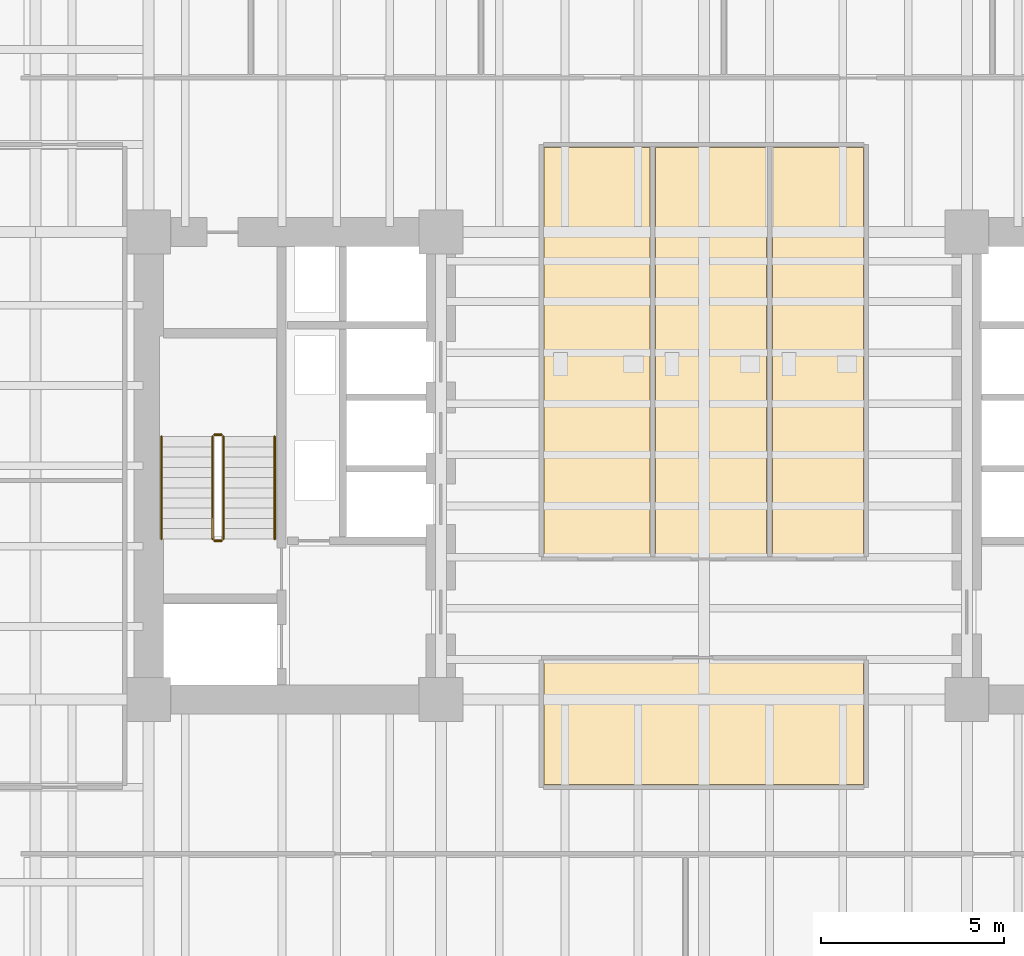
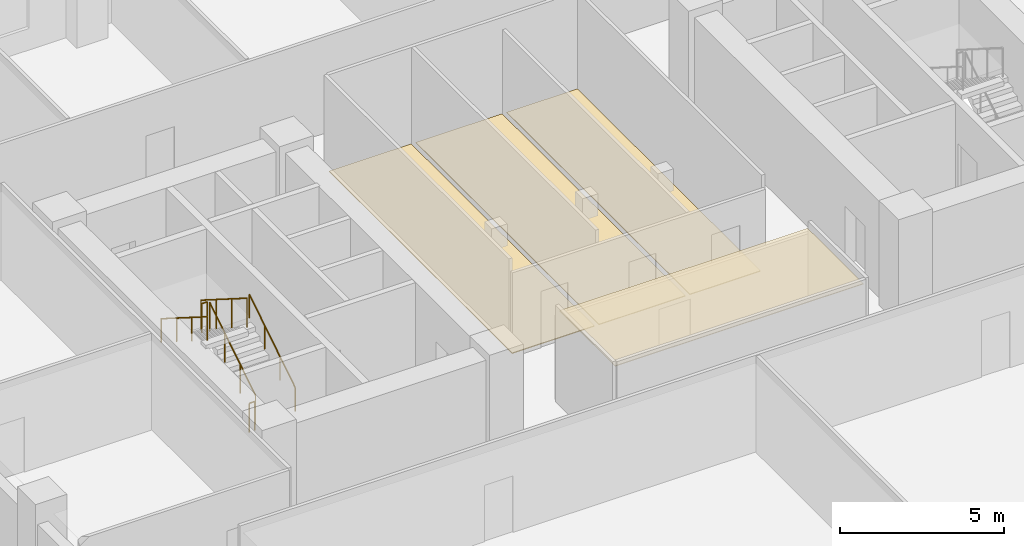
# One storey, part 8 of 11: 6 railings, 4 coverings.
"""IFC4 building model written with IfcOpenShell, lengths in metres."""

from ifc_helpers import new_model, si_unit, direction, frame, origin, origin_2d, place, context, subcontext, project, spatial, polyline, circle, outline, extrude, material, layer, layer_set, type_object, element, save


model = new_model("IFC4")

# Units and contexts
model_context = context("Model", 3, precision=1e-05, world=origin(), true_north=direction((0.0, 1.0)))
body_context = subcontext(model_context, "Body", "Model", "MODEL_VIEW")
ifc_project = project(units=[si_unit("LENGTHUNIT", "METRE"), si_unit("AREAUNIT", "SQUARE_METRE"), si_unit("VOLUMEUNIT", "CUBIC_METRE"), si_unit("PLANEANGLEUNIT", "RADIAN"), si_unit("MASSUNIT", "GRAM", prefix="KILO")], contexts=[model_context])

# Site, building, storey
site_placement = place(None, origin())
site = spatial("IfcSite", under=ifc_project, at=site_placement, CompositionType="ELEMENT")
building_placement = place(site_placement, origin())
building = spatial("IfcBuilding", under=site, at=building_placement, Name="Kranthara Brick Stack", CompositionType="ELEMENT")
storey_placement = place(building_placement, frame((0.0, 0.0, 24.300048828125)))
storey = spatial("IfcBuildingStorey", under=building, at=storey_placement, Name="L05", CompositionType="ELEMENT", Elevation=24.300048828125)

# Coverings
ifc_material_1 = material(Name="Perforated mineral-fibre acoustic ceiling tile", Category="other")
ifc_layer_1 = layer(ifc_material_1, 0.02490234375)
ifc_layer_set_1 = layer_set([ifc_layer_1], Name="Perforated mineral-fibre acoustic ceiling tile")
covering_type_1 = type_object("IfcCoveringType", Name="COV-CEIL-ACOUSTIC", PredefinedType="CEILING", material=ifc_layer_set_1)
covering_1_placement = place(storey_placement, frame((0.0, 0.0, 3.329833984375)))
element("IfcCovering", 1, at=covering_1_placement, inside=storey, type_object=covering_type_1, Name="L05 L05 Central Executive Briefing Room Acoustic Ceiling", PredefinedType="CEILING", context=body_context, shape_type="SweptSolid", body=[
    extrude(outline(polyline([(32.3701171875, 18.47998046875), (32.3701171875, 21.8798828125), (23.6298828125, 21.8798828125), (23.6298828125, 18.47998046875), (32.3701171875, 18.47998046875)])), origin(), (0.0, 0.0, 1.0), 0.025146484375),
])
ifc_material_2 = material(Name="Honed terrazzo and porcelain floor finish", Category="stone")
ifc_layer_2 = layer(ifc_material_2, 0.030029296875)
ifc_layer_set_2 = layer_set([ifc_layer_2], Name="Honed terrazzo and porcelain floor finish")
covering_type_2 = type_object("IfcCoveringType", Name="COV-FLOR-STONE", PredefinedType="FLOORING", material=ifc_layer_set_2)
covering_2_placement = place(storey_placement, origin())
element("IfcCovering", 2, at=covering_2_placement, inside=storey, type_object=covering_type_2, Name="L05 Wet Room Porcelain Flooring", PredefinedType="FLOORING", context=body_context, shape_type="SweptSolid", body=[
    extrude(outline(polyline([(26.52001953125, 24.75), (26.52001953125, 35.919921875), (23.6298828125, 35.919921875), (23.6298828125, 24.75), (26.52001953125, 24.75)])), origin(), (0.0, 0.0, 1.0), 0.030029296875),
])
covering_3_placement = place(storey_placement, origin())
element("IfcCovering", 3, at=covering_3_placement, inside=storey, type_object=covering_type_2, Name="L05 Wet Room Porcelain Flooring", PredefinedType="FLOORING", context=body_context, shape_type="SweptSolid", body=[
    extrude(outline(polyline([(29.719970703125, 24.75), (29.719970703125, 35.919921875), (26.679931640625, 35.919921875), (26.679931640625, 24.75), (29.719970703125, 24.75)])), origin(), (0.0, 0.0, 1.0), 0.030029296875),
])
covering_4_placement = place(storey_placement, origin())
element("IfcCovering", 4, at=covering_4_placement, inside=storey, type_object=covering_type_2, Name="L05 Wet Room Porcelain Flooring", PredefinedType="FLOORING", context=body_context, shape_type="SweptSolid", body=[
    extrude(outline(polyline([(32.3701171875, 24.75), (32.3701171875, 35.919921875), (29.8798828125, 35.919921875), (29.8798828125, 24.75), (32.3701171875, 24.75)])), origin(), (0.0, 0.0, 1.0), 0.030029296875),
])

# Railings
ifc_material_3 = material(Name="Painted galvanized steel stair guardrail", Category="steel")
railing_type_1 = type_object("IfcRailingType", Name="RL-STAIR-GUARD-1100", PredefinedType="GUARDRAIL", material=ifc_material_3)
railing_1_placement = place(storey_placement, frame((14.85009765625, 25.199951171875, 0.17724609375)))
element("IfcRailing", 5, at=railing_1_placement, inside=storey, type_object=railing_type_1, Name="L05 ST01 stair guard 1", PredefinedType="GUARDRAIL", context=body_context, shape_type="SweptSolid", body=[
    extrude(circle(Radius=0.02392578125, at=origin_2d()), frame((0.0, 0.0, 1.076171875), z_axis=(0.0, 0.844908973607, 0.534910110503), x_axis=(-1.0, 0.0, 0.0)), (0.0, 0.0, 1.0), 3.31396484375),
    extrude(circle(Radius=0.02099609375, at=origin_2d()), origin(), (0.0, 0.0, 1.0), 1.052001953125),
    extrude(circle(Radius=0.02099609375, at=origin_2d()), frame((0.0, 0.933349609375, 0.5908203125)), (0.0, 0.0, 1.0), 1.052001953125),
    extrude(circle(Radius=0.02099609375, at=origin_2d()), frame((0.0, 1.86669921875, 1.181884765625)), (0.0, 0.0, 1.0), 1.052001953125),
    extrude(circle(Radius=0.02099609375, at=origin_2d()), frame((0.0, 2.800048828125, 1.772705078125)), (0.0, 0.0, 1.0), 1.052001953125),
])
railing_2_placement = place(storey_placement, frame((14.800048828125, 28.050048828125, 1.949951171875)))
element("IfcRailing", 6, at=railing_2_placement, inside=storey, type_object=railing_type_1, Name="L05 ST01 stair guard 2", PredefinedType="GUARDRAIL", context=body_context, shape_type="SweptSolid", body=[
    extrude(circle(Radius=0.02392578125, at=origin_2d()), frame((0.0, 0.0, 1.076171875), z_axis=(-1.0, 0.0, 0.0), x_axis=(0.0, -1.0, 0.0)), (0.0, 0.0, 1.0), 0.199951171875),
    extrude(circle(Radius=0.02099609375, at=origin_2d()), origin(), (0.0, 0.0, 1.0), 1.052001953125),
    extrude(circle(Radius=0.02099609375, at=origin_2d()), frame((-0.199951171875, 0.0, 0.0)), (0.0, 0.0, 1.0), 1.052001953125),
])
railing_3_placement = place(storey_placement, frame((14.550048828125, 28.0, 2.127197265625)))
element("IfcRailing", 7, at=railing_3_placement, inside=storey, type_object=railing_type_1, Name="L05 ST01 stair guard 3", PredefinedType="GUARDRAIL", context=body_context, shape_type="SweptSolid", body=[
    extrude(circle(Radius=0.02392578125, at=origin_2d()), frame((0.0, 0.0, 1.076171875), z_axis=(0.0, -0.844908973607, 0.534910110503), x_axis=(1.0, 0.0, 0.0)), (0.0, 0.0, 1.0), 3.31396484375),
    extrude(circle(Radius=0.02099609375, at=origin_2d()), origin(), (0.0, 0.0, 1.0), 1.052001953125),
    extrude(circle(Radius=0.02099609375, at=origin_2d()), frame((0.0, -0.933349609375, 0.5908203125)), (0.0, 0.0, 1.0), 1.052001953125),
    extrude(circle(Radius=0.02099609375, at=origin_2d()), frame((0.0, -1.86669921875, 1.181884765625)), (0.0, 0.0, 1.0), 1.052001953125),
    extrude(circle(Radius=0.02099609375, at=origin_2d()), frame((0.0, -2.800048828125, 1.772705078125)), (0.0, 0.0, 1.0), 1.052001953125),
])
railing_4_placement = place(storey_placement, frame((14.800048828125, 25.14990234375, 0.0)))
element("IfcRailing", 8, at=railing_4_placement, inside=storey, type_object=railing_type_1, Name="L05 ST01 stair guard 4", PredefinedType="GUARDRAIL", context=body_context, shape_type="SweptSolid", body=[
    extrude(circle(Radius=0.02392578125, at=origin_2d()), frame((0.0, 0.0, 1.076171875), z_axis=(-1.0, 0.0, 0.0), x_axis=(0.0, -1.0, 0.0)), (0.0, 0.0, 1.0), 0.199951171875),
    extrude(circle(Radius=0.02099609375, at=origin_2d()), origin(), (0.0, 0.0, 1.0), 1.052001953125),
    extrude(circle(Radius=0.02099609375, at=origin_2d()), frame((-0.199951171875, 0.0, 0.0)), (0.0, 0.0, 1.0), 1.052001953125),
])
ifc_material_4 = material(Name="Brushed stainless steel tubular handrail", Category="steel")
railing_type_2 = type_object("IfcRailingType", Name="RL-STAIR-HAND-900", PredefinedType="HANDRAIL", material=ifc_material_4)
railing_5_placement = place(storey_placement, frame((16.25, 25.199951171875, 0.17724609375)))
element("IfcRailing", 9, at=railing_5_placement, inside=storey, type_object=railing_type_2, Name="L05 ST01 stair handrail 1", PredefinedType="HANDRAIL", context=body_context, shape_type="SweptSolid", body=[
    extrude(circle(Radius=0.02392578125, at=origin_2d()), frame((0.0, 0.0, 0.8759765625), z_axis=(0.0, 0.844908973607, 0.534910110503), x_axis=(-1.0, 0.0, 0.0)), (0.0, 0.0, 1.0), 3.31396484375),
    extrude(circle(Radius=0.02099609375, at=origin_2d()), origin(), (0.0, 0.0, 1.0), 0.851806640625),
    extrude(circle(Radius=0.02099609375, at=origin_2d()), frame((0.0, 0.933349609375, 0.5908203125)), (0.0, 0.0, 1.0), 0.851806640625),
    extrude(circle(Radius=0.02099609375, at=origin_2d()), frame((0.0, 1.86669921875, 1.181884765625)), (0.0, 0.0, 1.0), 0.851806640625),
    extrude(circle(Radius=0.02099609375, at=origin_2d()), frame((0.0, 2.800048828125, 1.772705078125)), (0.0, 0.0, 1.0), 0.851806640625),
])
railing_6_placement = place(storey_placement, frame((13.14990234375, 28.0, 2.127197265625)))
element("IfcRailing", 10, at=railing_6_placement, inside=storey, type_object=railing_type_2, Name="L05 ST01 stair handrail 2", PredefinedType="HANDRAIL", context=body_context, shape_type="SweptSolid", body=[
    extrude(circle(Radius=0.02392578125, at=origin_2d()), frame((0.0, 0.0, 0.8759765625), z_axis=(0.0, -0.844908973607, 0.534910110503), x_axis=(1.0, 0.0, 0.0)), (0.0, 0.0, 1.0), 3.31396484375),
    extrude(circle(Radius=0.02099609375, at=origin_2d()), origin(), (0.0, 0.0, 1.0), 0.851806640625),
    extrude(circle(Radius=0.02099609375, at=origin_2d()), frame((0.0, -0.933349609375, 0.5908203125)), (0.0, 0.0, 1.0), 0.851806640625),
    extrude(circle(Radius=0.02099609375, at=origin_2d()), frame((0.0, -1.86669921875, 1.181884765625)), (0.0, 0.0, 1.0), 0.851806640625),
    extrude(circle(Radius=0.02099609375, at=origin_2d()), frame((0.0, -2.800048828125, 1.772705078125)), (0.0, 0.0, 1.0), 0.851806640625),
])

save(model, "model.ifc")
